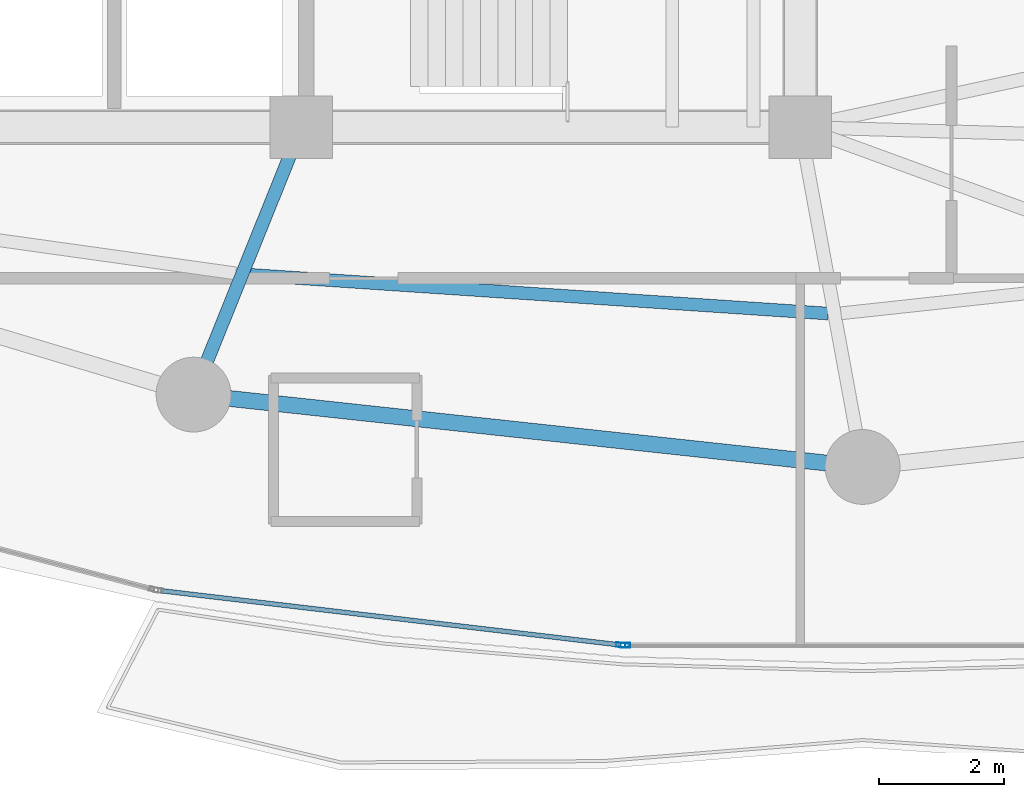
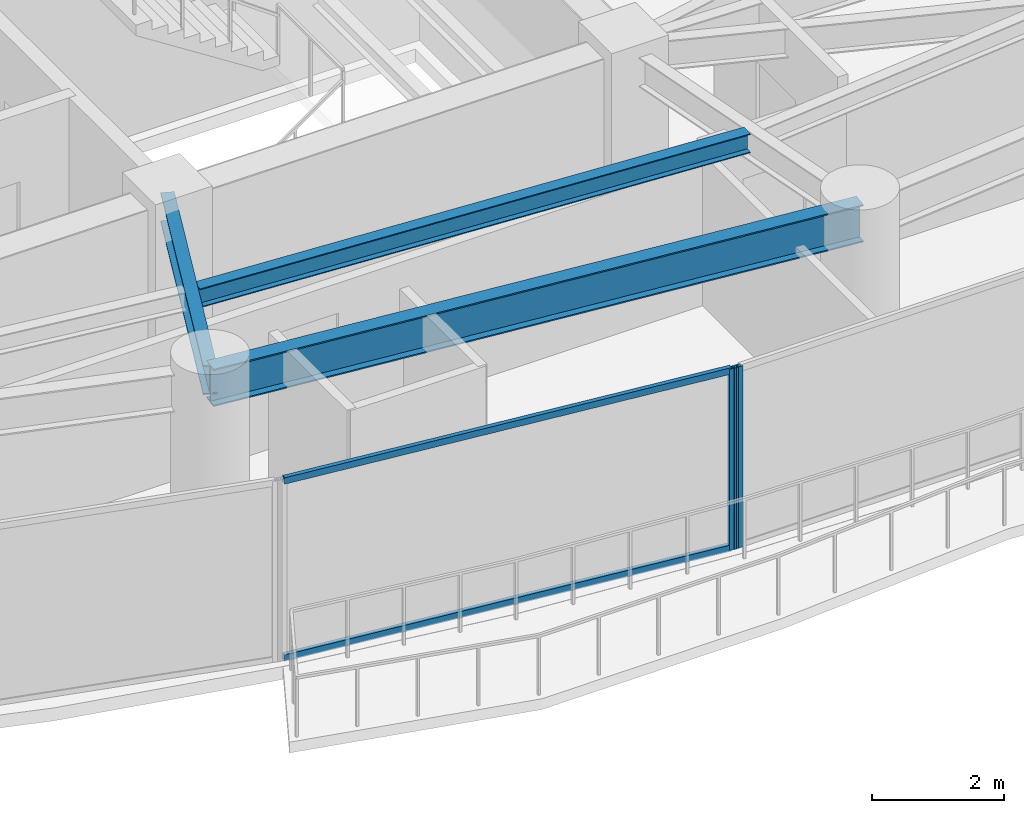
# One storey, part 6 of 34: 4 members, 3 beams, 2 elements without a shape of their own.
"""IFC4 building model written with IfcOpenShell, lengths in metres."""

from ifc_helpers import new_model, si_unit, direction, frame, origin, origin_2d, place, context, subcontext, project, spatial, hollow_rectangle, i_section, extrude, material, layer, layer_set, material_profile, profile_set, type_object, element, aggregate, save


model = new_model("IFC4")

# Units and contexts
model_context = context("Model", 3, precision=1e-05, world=origin(), true_north=direction((0.0, 1.0)))
body_context = subcontext(model_context, "Body", "Model", "MODEL_VIEW")
ifc_project = project(units=[si_unit("LENGTHUNIT", "METRE"), si_unit("AREAUNIT", "SQUARE_METRE"), si_unit("VOLUMEUNIT", "CUBIC_METRE"), si_unit("PLANEANGLEUNIT", "RADIAN"), si_unit("MASSUNIT", "GRAM", prefix="KILO")], contexts=[model_context])

# Site, building, storey
site_placement = place(None, origin())
site = spatial("IfcSite", under=ifc_project, at=site_placement, CompositionType="ELEMENT")
building_placement = place(site_placement, origin())
building = spatial("IfcBuilding", under=site, at=building_placement, Name="Kazevale Care Tower and Concert Hall", CompositionType="ELEMENT")
storey_placement = place(building_placement, frame((0.0, 0.0, 167.39990234375)))
storey = spatial("IfcBuildingStorey", under=building, at=storey_placement, Name="L44", CompositionType="ELEMENT", Elevation=167.39990234375)

# Curtain wall, member
ifc_material_1 = material(Name="Aluminium 6063-T6 and Low-E Glass", Category="aluminium")
ifc_layer = layer(ifc_material_1, 0.179931640625)
ifc_layer_set = layer_set([ifc_layer], Name="Aluminium 6063-T6 and Low-E Glass")
curtain_wall_type = type_object("IfcCurtainWallType", Name="Sheltered Concave Balcony Curtain Wall CW-5", PredefinedType="NOTDEFINED", material=ifc_layer_set)
curtain_wall_1_placement = place(storey_placement, origin())
curtain_wall_1 = element("IfcCurtainWall", 1, at=curtain_wall_1_placement, inside=storey, type_object=curtain_wall_type, Name="cw:L44:f06", PredefinedType="NOTDEFINED")
ifc_material_2 = material(Name="Aluminium 6063-T6", Category="aluminium")
ifc_material_profile_1 = material_profile(ifc_material_2, hollow_rectangle(XDim=0.074951171875, YDim=0.14990234375, WallThickness=0.00390625, at=origin_2d()), Name="ALU75x150x4")
ifc_profile_set_1 = profile_set([ifc_material_profile_1], Name="Aluminium 6063-T6")
member_type_1 = type_object("IfcMemberType", Name="CW-5 Mullion ALU75x150x4", PredefinedType="MULLION", material=ifc_profile_set_1)
member_1_placement = place(storey_placement, frame((41.196533203125, 15.2890625, 0.0), z_axis=(0.0, 0.0, 1.0), x_axis=(0.0, -1.0, 0.0)))
member_1 = element("IfcMember", 2, at=member_1_placement, type_object=member_type_1, Name="CW-5 mullion 2", PredefinedType="MULLION", context=body_context, shape_type="SweptSolid", body=[
    extrude(hollow_rectangle(XDim=0.074951171875, YDim=0.14990234375, WallThickness=0.00390625, at=origin_2d()), origin(), (0.0, 0.0, 1.0), 3.360107421875),
])
aggregate(curtain_wall_1, [member_1])

# Curtain wall, members
curtain_wall_2_placement = place(storey_placement, origin())
curtain_wall_2 = element("IfcCurtainWall", 3, at=curtain_wall_2_placement, inside=storey, type_object=curtain_wall_type, Name="cw:L44:f07", PredefinedType="NOTDEFINED")
member_2_placement = place(storey_placement, frame((41.121826171875, 15.29345703125, 0.0), z_axis=(0.0, 0.0, 1.0), x_axis=(-0.117372179238, -0.993087997884, 0.0)))
member_2 = element("IfcMember", 4, at=member_2_placement, type_object=member_type_1, Name="CW-5 mullion 1", PredefinedType="MULLION", context=body_context, shape_type="SweptSolid", body=[
    extrude(hollow_rectangle(XDim=0.074951171875, YDim=0.14990234375, WallThickness=0.00390625, at=origin_2d()), origin(), (0.0, 0.0, 1.0), 3.360107421875),
])
ifc_material_profile_2 = material_profile(ifc_material_2, hollow_rectangle(XDim=0.074951171875, YDim=0.1201171875, WallThickness=0.00390625, at=origin_2d()), Name="ALU75x120x4")
ifc_profile_set_2 = profile_set([ifc_material_profile_2], Name="Aluminium 6063-T6")
member_type_2 = type_object("IfcMemberType", Name="CW-5 Transom ALU75x120x4", PredefinedType="USERDEFINED", material=ifc_profile_set_2)
member_3_placement = place(storey_placement, frame((41.08447265625, 15.2978515625, 0.03759765625), z_axis=(-0.993087545854, 0.117376003806, 0.0), x_axis=(-0.117376003806, -0.993087545854, 0.0)))
member_3 = element("IfcMember", 5, at=member_3_placement, type_object=member_type_2, Name="CW-5 transom 1.1", ObjectType="TRANSOM", PredefinedType="USERDEFINED", context=body_context, shape_type="SweptSolid", body=[
    extrude(hollow_rectangle(XDim=0.074951171875, YDim=0.1201171875, WallThickness=0.00390625, at=origin_2d()), origin(), (0.0, 0.0, 1.0), 7.39013671875),
])
member_4_placement = place(storey_placement, frame((41.08447265625, 15.2978515625, 3.322509765625), z_axis=(-0.993087545854, 0.117376003806, 0.0), x_axis=(-0.117376003806, -0.993087545854, 0.0)))
member_4 = element("IfcMember", 6, at=member_4_placement, type_object=member_type_2, Name="CW-5 transom 1.2", ObjectType="TRANSOM", PredefinedType="USERDEFINED", context=body_context, shape_type="SweptSolid", body=[
    extrude(hollow_rectangle(XDim=0.074951171875, YDim=0.1201171875, WallThickness=0.00390625, at=origin_2d()), origin(), (0.0, 0.0, 1.0), 7.39013671875),
])
aggregate(curtain_wall_2, [member_2, member_3, member_4])

# Beams
ifc_material_3 = material(Name="Steel ASTM A572 Gr 50", Category="steel")
ifc_material_profile_3 = material_profile(ifc_material_3, i_section(OverallWidth=0.2119140625, OverallDepth=0.5439453125, WebThickness=0.01318359375, FlangeThickness=0.021240234375, at=origin_2d()), Name="W530x123")
ifc_profile_set_3 = profile_set([ifc_material_profile_3], Name="Steel ASTM A572 Gr 50")
beam_type_1 = type_object("IfcBeamType", Name="Radial Floor Girder W530x123", PredefinedType="BEAM", material=ifc_profile_set_3)
beam_1_placement = place(storey_placement, frame((36.0, 23.60009765625, 3.088134765625), z_axis=(-0.373991766452, -0.927432023722, 0.0), x_axis=(0.927432023722, -0.373991766452, 0.0)))
element("IfcBeam", 7, at=beam_1_placement, inside=storey, type_object=beam_type_1, Name="beam:L44:rad:12", PredefinedType="BEAM", context=body_context, shape_type="SweptSolid", body=[
    extrude(i_section(OverallWidth=0.2119140625, OverallDepth=0.5439453125, WebThickness=0.01318359375, FlangeThickness=0.021240234375, at=origin_2d()), origin(), (0.0, 0.0, 1.0), 4.625732421875),
])
ifc_material_profile_4 = material_profile(ifc_material_3, i_section(OverallWidth=0.205078125, OverallDepth=0.35400390625, WebThickness=0.009521484375, FlangeThickness=0.016845703125, at=origin_2d()), Name="W360x79")
ifc_profile_set_4 = profile_set([ifc_material_profile_4], Name="Steel ASTM A572 Gr 50")
beam_type_2 = type_object("IfcBeamType", Name="Secondary Floor Joist W360x79", PredefinedType="JOIST", material=ifc_profile_set_4)
beam_2_placement = place(storey_placement, frame((35.153076171875, 21.23291015625, 3.18310546875), z_axis=(0.997761314569, -0.06687569925, 0.0), x_axis=(0.06687569925, 0.997761314569, 0.0)))
element("IfcBeam", 8, at=beam_2_placement, inside=storey, type_object=beam_type_2, Name="beam:L44:joist:12", PredefinedType="JOIST", context=body_context, shape_type="SweptSolid", body=[
    extrude(i_section(OverallWidth=0.205078125, OverallDepth=0.35400390625, WebThickness=0.009521484375, FlangeThickness=0.016845703125, at=origin_2d()), origin(), (0.0, 0.0, 1.0), 9.312744140625),
])
ifc_material_profile_5 = material_profile(ifc_material_3, i_section(OverallWidth=0.256103515625, OverallDepth=0.693115234375, WebThickness=0.014404296875, FlangeThickness=0.023681640625, at=origin_2d()), Name="W690x170")
ifc_profile_set_5 = profile_set([ifc_material_profile_5], Name="Steel ASTM A572 Gr 50")
beam_type_3 = type_object("IfcBeamType", Name="Waist Ring Beam W690x170", PredefinedType="BEAM", material=ifc_profile_set_5)
beam_3_placement = place(storey_placement, frame((34.27001953125, 19.31005859375, 3.013671875), z_axis=(0.994205479487, -0.107496346724, 0.0), x_axis=(0.107496346724, 0.994205479487, 0.0)))
element("IfcBeam", 9, at=beam_3_placement, inside=storey, type_object=beam_type_3, Name="beam:L44:ring:12", PredefinedType="BEAM", context=body_context, shape_type="SweptSolid", body=[
    extrude(i_section(OverallWidth=0.256103515625, OverallDepth=0.693115234375, WebThickness=0.014404296875, FlangeThickness=0.023681640625, at=origin_2d()), origin(), (0.0, 0.0, 1.0), 10.79248046875),
])

save(model, "model.ifc")
